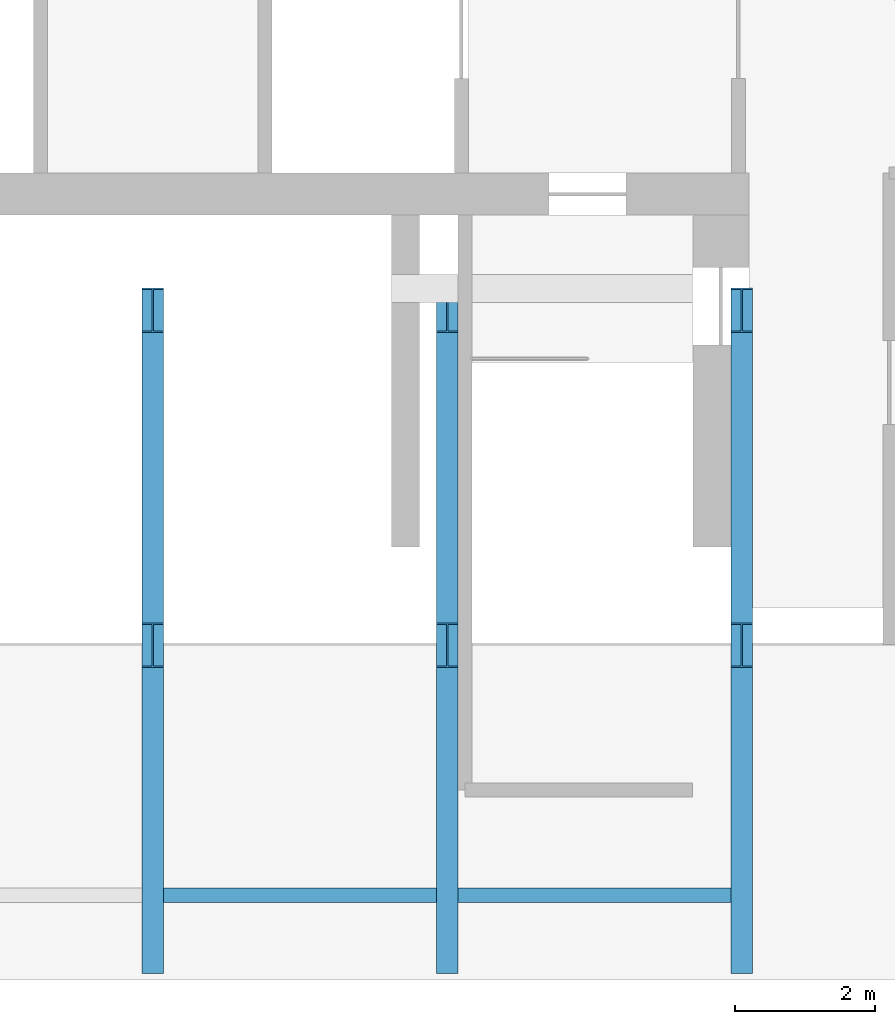
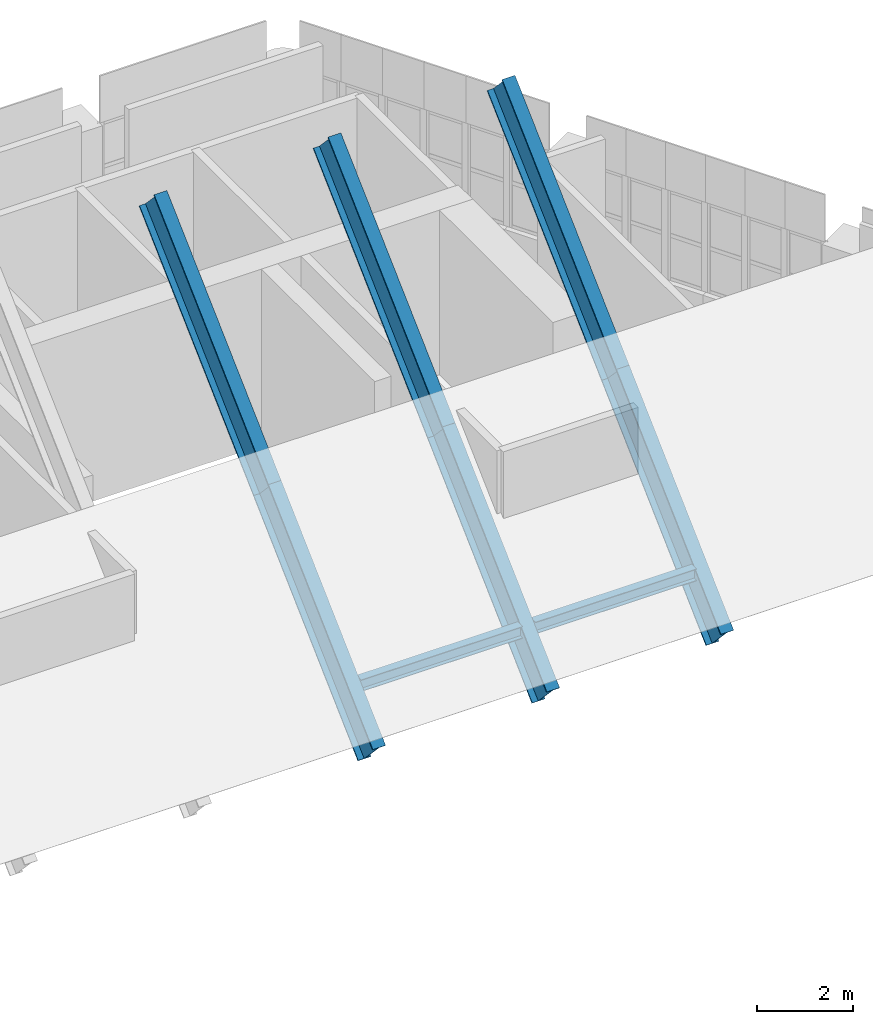
# One storey, part 5 of 16: 8 members.
"""IFC4 building model written with IfcOpenShell, lengths in metres."""

from ifc_helpers import new_model, si_unit, direction, frame, origin, origin_2d, place, context, subcontext, project, spatial, i_section, extrude, material, material_profile, profile_set, type_object, element, save


model = new_model("IFC4")

# Units and contexts
model_context = context("Model", 3, precision=1e-05, world=origin(), true_north=direction((0.0, 1.0)))
body_context = subcontext(model_context, "Body", "Model", "MODEL_VIEW")
ifc_project = project(units=[si_unit("LENGTHUNIT", "METRE"), si_unit("AREAUNIT", "SQUARE_METRE"), si_unit("VOLUMEUNIT", "CUBIC_METRE"), si_unit("PLANEANGLEUNIT", "RADIAN"), si_unit("MASSUNIT", "GRAM", prefix="KILO")], contexts=[model_context])

# Site, building, storey
site_placement = place(None, origin())
site = spatial("IfcSite", under=ifc_project, at=site_placement, CompositionType="ELEMENT")
building_placement = place(site_placement, origin())
building = spatial("IfcBuilding", under=site, at=building_placement, Name="Ostrander Bayou Hotel Tower", CompositionType="ELEMENT")
storey_placement = place(building_placement, frame((0.0, 0.0, 288.5)))
storey = spatial("IfcBuildingStorey", under=building, at=storey_placement, Name="L71", CompositionType="ELEMENT", Elevation=288.5)

# Members
ifc_material_1 = material(Name="Steel ASTM A992", Category="steel")
ifc_material_profile_1 = material_profile(ifc_material_1, i_section(OverallWidth=0.203369140625, OverallDepth=0.30322265625, WebThickness=0.007568359375, FlangeThickness=0.01318359375, at=origin_2d()))
ifc_profile_set_1 = profile_set([ifc_material_profile_1], Name="Steel ASTM A992")
member_type_1 = type_object("IfcMemberType", Name="CP3 crown purlin W12x40", PredefinedType="PURLIN", material=ifc_profile_set_1)
member_1_placement = place(storey_placement, frame((0.15380859375, -0.60009765625, 0.645263671875), z_axis=(1.0, 0.0, 0.0), x_axis=(0.0, 1.0, 0.0)))
element("IfcMember", 1, at=member_1_placement, inside=storey, type_object=member_type_1, Name="CP3 P3-28", PredefinedType="PURLIN", context=body_context, shape_type="SweptSolid", body=[
    extrude(i_section(OverallWidth=0.203369140625, OverallDepth=0.30322265625, WebThickness=0.007568359375, FlangeThickness=0.01318359375, at=origin_2d()), origin(), (0.0, 0.0, 1.0), 3.892333984375),
])
member_2_placement = place(storey_placement, frame((4.35400390625, -0.60009765625, 0.645263671875), z_axis=(1.0, 0.0, 0.0), x_axis=(0.0, 1.0, 0.0)))
element("IfcMember", 2, at=member_2_placement, inside=storey, type_object=member_type_1, Name="CP3 P4-39", PredefinedType="PURLIN", context=body_context, shape_type="SweptSolid", body=[
    extrude(i_section(OverallWidth=0.203369140625, OverallDepth=0.30322265625, WebThickness=0.007568359375, FlangeThickness=0.01318359375, at=origin_2d()), origin(), (0.0, 0.0, 1.0), 3.89208984375),
])
ifc_material_2 = material(Name="Steel ASTM A992", Category="steel")
ifc_material_profile_2 = material_profile(ifc_material_2, i_section(OverallWidth=0.307861328125, OverallDepth=0.9267578125, WebThickness=0.01953125, FlangeThickness=0.031982421875, at=origin_2d()))
ifc_profile_set_2 = profile_set([ifc_material_profile_2], Name="Steel ASTM A992")
member_type_2 = type_object("IfcMemberType", Name="CR1 crown rafter W36x194", PredefinedType="RAFTER", material=ifc_profile_set_2)
member_3_placement = place(storey_placement, frame((0.0, -1.39990234375, -0.59326171875), z_axis=(0.0, 0.727932313217, 0.685648997209), x_axis=(-1.0, 0.0, 0.0)))
element("IfcMember", 3, at=member_3_placement, inside=storey, type_object=member_type_2, Name="CR1 R3-5", PredefinedType="RAFTER", context=body_context, shape_type="SweptSolid", body=[
    extrude(i_section(OverallWidth=0.307861328125, OverallDepth=0.9267578125, WebThickness=0.01953125, FlangeThickness=0.031982421875, at=origin_2d()), origin(), (0.0, 0.0, 1.0), 5.9990234375),
])
member_4_placement = place(storey_placement, frame((0.0, 2.967041015625, 3.52001953125), z_axis=(0.0, 0.727954250477, 0.685625706353), x_axis=(-1.0, 0.0, 0.0)))
element("IfcMember", 4, at=member_4_placement, inside=storey, type_object=member_type_2, Name="CR1 R3-6", PredefinedType="RAFTER", context=body_context, shape_type="SweptSolid", body=[
    extrude(i_section(OverallWidth=0.307861328125, OverallDepth=0.9267578125, WebThickness=0.01953125, FlangeThickness=0.031982421875, at=origin_2d()), origin(), (0.0, 0.0, 1.0), 6.563720703125),
])
member_5_placement = place(storey_placement, frame((4.199951171875, -1.39990234375, -0.59326171875), z_axis=(0.0, 0.727932313217, 0.685648997209), x_axis=(-1.0, 0.0, 0.0)))
element("IfcMember", 5, at=member_5_placement, inside=storey, type_object=member_type_2, Name="CR1 R4-5", PredefinedType="RAFTER", context=body_context, shape_type="SweptSolid", body=[
    extrude(i_section(OverallWidth=0.307861328125, OverallDepth=0.9267578125, WebThickness=0.01953125, FlangeThickness=0.031982421875, at=origin_2d()), origin(), (0.0, 0.0, 1.0), 5.9990234375),
])
member_6_placement = place(storey_placement, frame((4.199951171875, 2.967041015625, 3.52001953125), z_axis=(0.0, 0.727954250477, 0.685625706353), x_axis=(-1.0, 0.0, 0.0)))
element("IfcMember", 6, at=member_6_placement, inside=storey, type_object=member_type_2, Name="CR1 R4-6", PredefinedType="RAFTER", context=body_context, shape_type="SweptSolid", body=[
    extrude(i_section(OverallWidth=0.307861328125, OverallDepth=0.9267578125, WebThickness=0.01953125, FlangeThickness=0.031982421875, at=origin_2d()), origin(), (0.0, 0.0, 1.0), 6.563720703125),
])
member_7_placement = place(storey_placement, frame((8.39990234375, -1.39990234375, -0.59326171875), z_axis=(0.0, 0.727932313217, 0.685648997209), x_axis=(-1.0, 0.0, 0.0)))
element("IfcMember", 7, at=member_7_placement, inside=storey, type_object=member_type_2, Name="CR1 R5-5", PredefinedType="RAFTER", context=body_context, shape_type="SweptSolid", body=[
    extrude(i_section(OverallWidth=0.307861328125, OverallDepth=0.9267578125, WebThickness=0.01953125, FlangeThickness=0.031982421875, at=origin_2d()), origin(), (0.0, 0.0, 1.0), 5.9990234375),
])
member_8_placement = place(storey_placement, frame((8.39990234375, 2.967041015625, 3.52001953125), z_axis=(0.0, 0.727954250477, 0.685625706353), x_axis=(-1.0, 0.0, 0.0)))
element("IfcMember", 8, at=member_8_placement, inside=storey, type_object=member_type_2, Name="CR1 R5-6", PredefinedType="RAFTER", context=body_context, shape_type="SweptSolid", body=[
    extrude(i_section(OverallWidth=0.307861328125, OverallDepth=0.9267578125, WebThickness=0.01953125, FlangeThickness=0.031982421875, at=origin_2d()), origin(), (0.0, 0.0, 1.0), 6.563720703125),
])

save(model, "model.ifc")
